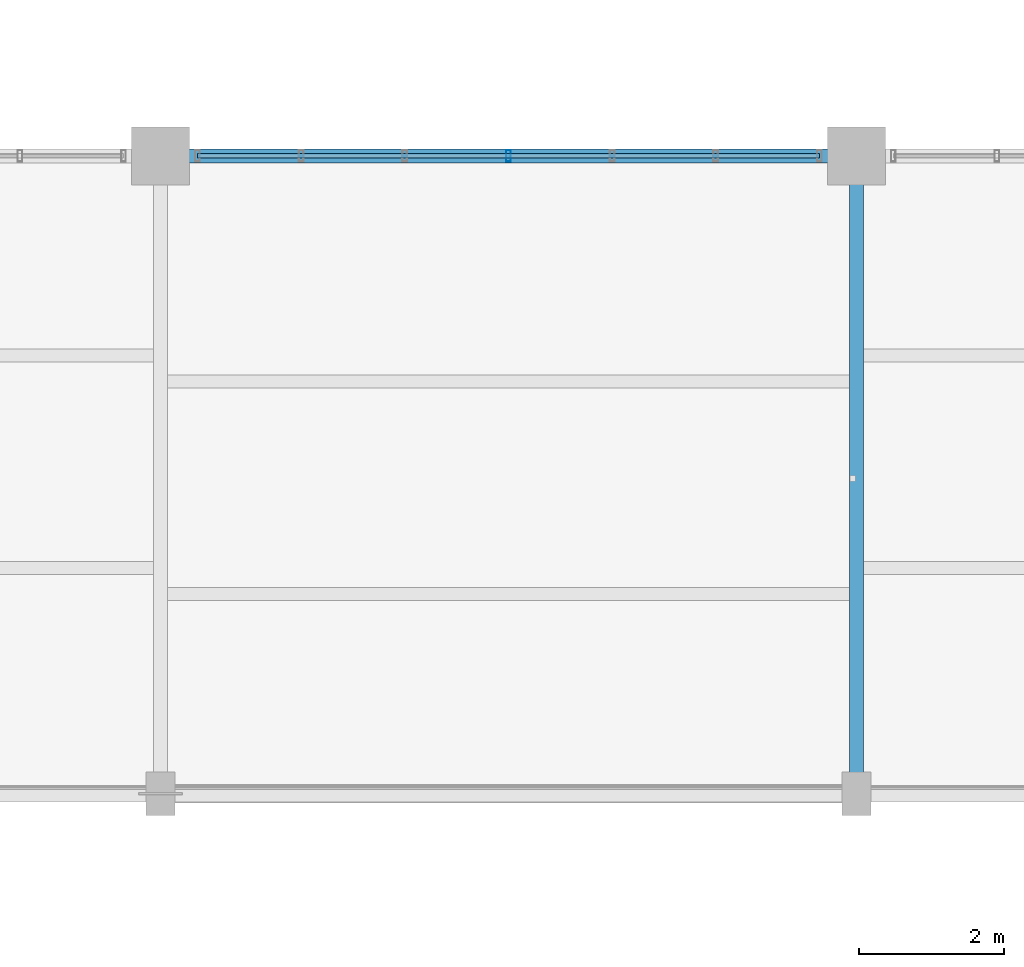
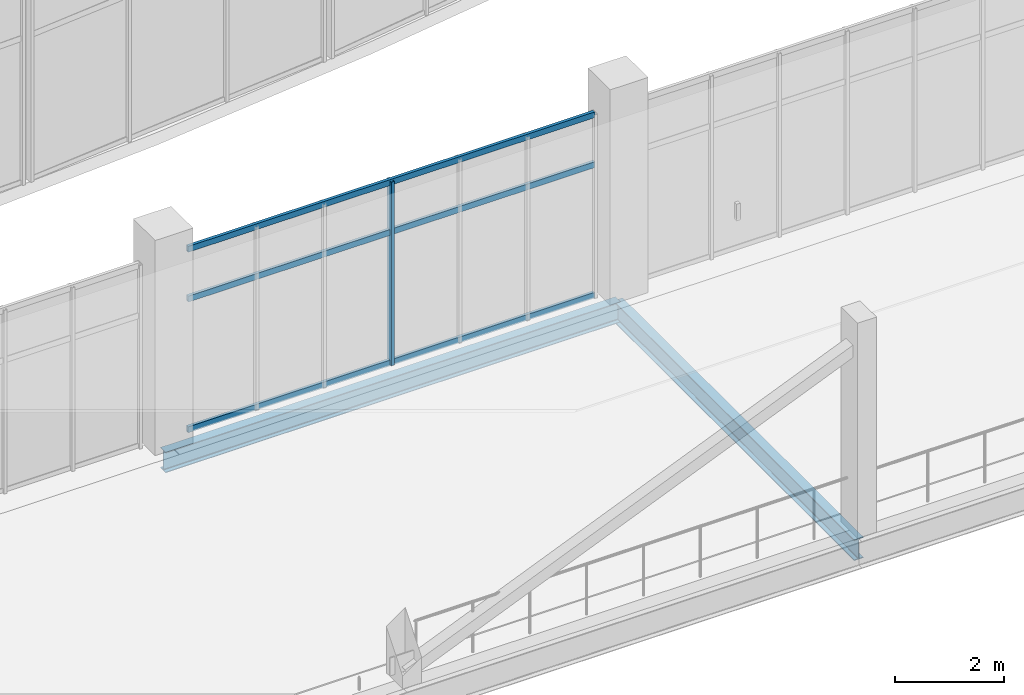
# One storey, part 61 of 157: 4 members, 2 beams, 1 element without a shape of its own.
"""IFC4 building model written with IfcOpenShell, lengths in metres."""

from ifc_helpers import new_model, si_unit, direction, frame, origin, origin_2d, place, context, subcontext, project, spatial, hollow_rectangle, i_section, extrude, material, layer, layer_set, material_profile, profile_set, type_object, element, aggregate, save


model = new_model("IFC4")

# Units and contexts
model_context = context("Model", 3, precision=1e-05, world=origin(), true_north=direction((0.0, 1.0)))
body_context = subcontext(model_context, "Body", "Model", "MODEL_VIEW")
ifc_project = project(units=[si_unit("LENGTHUNIT", "METRE"), si_unit("AREAUNIT", "SQUARE_METRE"), si_unit("VOLUMEUNIT", "CUBIC_METRE"), si_unit("PLANEANGLEUNIT", "RADIAN"), si_unit("MASSUNIT", "GRAM", prefix="KILO")], contexts=[model_context])

# Site, building, storey
site_placement = place(None, origin())
site = spatial("IfcSite", under=ifc_project, at=site_placement, CompositionType="ELEMENT")
building_placement = place(site_placement, origin())
building = spatial("IfcBuilding", under=site, at=building_placement, Name="Chalmorin Arch Market", CompositionType="ELEMENT")
storey_placement = place(building_placement, frame((0.0, 0.0, 4.800048828125)))
storey = spatial("IfcBuildingStorey", under=building, at=storey_placement, Name="L01", CompositionType="ELEMENT", Elevation=4.800048828125)

# Curtain wall, members
ifc_material_1 = material(Name="Aluminium 6063-T6", Category="aluminium")
ifc_layer = layer(ifc_material_1, 0.159912109375)
ifc_layer_set = layer_set([ifc_layer], Name="Aluminium 6063-T6")
curtain_wall_type = type_object("IfcCurtainWallType", Name="MarketClerestoryCurtainWall-CW1-8580x4100", PredefinedType="NOTDEFINED", material=ifc_layer_set)
curtain_wall_placement = place(storey_placement, origin())
curtain_wall = element("IfcCurtainWall", 1, at=curtain_wall_placement, inside=storey, type_object=curtain_wall_type, Name="CW-01-015", PredefinedType="NOTDEFINED")
ifc_material_profile_1 = material_profile(ifc_material_1, hollow_rectangle(XDim=0.06494140625, YDim=0.159912109375, WallThickness=0.00390625, at=origin_2d()), Name="ALU65X160X4")
ifc_profile_set_1 = profile_set([ifc_material_profile_1], Name="Aluminium 6063-T6")
member_type_1 = type_object("IfcMemberType", Name="CurtainWallMullion-65x160", PredefinedType="MULLION", material=ifc_profile_set_1)
member_1_placement = place(storey_placement, frame((91.199951171875, 58.800048828125, 0.0), z_axis=(0.0, 0.0, 1.0), x_axis=(1.0, 0.0, 0.0)))
member_1 = element("IfcMember", 2, at=member_1_placement, type_object=member_type_1, Name="ML-015-04", PredefinedType="MULLION", context=body_context, shape_type="SweptSolid", body=[
    extrude(hollow_rectangle(XDim=0.06494140625, YDim=0.159912109375, WallThickness=0.00390625, at=origin_2d()), origin(), (0.0, 0.0, 1.0), 4.095947265625),
])
ifc_material_profile_2 = material_profile(ifc_material_1, hollow_rectangle(XDim=0.06494140625, YDim=0.1298828125, WallThickness=0.00390625, at=origin_2d()), Name="ALU65X130X4")
ifc_profile_set_2 = profile_set([ifc_material_profile_2], Name="Aluminium 6063-T6")
member_type_2 = type_object("IfcMemberType", Name="CurtainWallTransom-65x130", PredefinedType="USERDEFINED", material=ifc_profile_set_2)
member_2_placement = place(storey_placement, frame((86.909912109375, 58.800048828125, 0.034912109375), z_axis=(1.0, 0.0, 0.0), x_axis=(0.0, 1.0, 0.0)))
member_2 = element("IfcMember", 3, at=member_2_placement, type_object=member_type_2, Name="TR-015-01", ObjectType="TRANSOM", PredefinedType="USERDEFINED", context=body_context, shape_type="SweptSolid", body=[
    extrude(hollow_rectangle(XDim=0.06494140625, YDim=0.1298828125, WallThickness=0.00390625, at=origin_2d()), origin(), (0.0, 0.0, 1.0), 8.580078125),
])
member_3_placement = place(storey_placement, frame((86.909912109375, 58.800048828125, 2.948974609375), z_axis=(1.0, 0.0, 0.0), x_axis=(0.0, 1.0, 0.0)))
member_3 = element("IfcMember", 4, at=member_3_placement, type_object=member_type_2, Name="TR-015-02", ObjectType="TRANSOM", PredefinedType="USERDEFINED", context=body_context, shape_type="SweptSolid", body=[
    extrude(hollow_rectangle(XDim=0.06494140625, YDim=0.1298828125, WallThickness=0.00390625, at=origin_2d()), origin(), (0.0, 0.0, 1.0), 8.580078125),
])
member_4_placement = place(storey_placement, frame((86.909912109375, 58.800048828125, 4.06103515625), z_axis=(1.0, 0.0, 0.0), x_axis=(0.0, 1.0, 0.0)))
member_4 = element("IfcMember", 5, at=member_4_placement, type_object=member_type_2, Name="TR-015-03", ObjectType="TRANSOM", PredefinedType="USERDEFINED", context=body_context, shape_type="SweptSolid", body=[
    extrude(hollow_rectangle(XDim=0.06494140625, YDim=0.1298828125, WallThickness=0.00390625, at=origin_2d()), origin(), (0.0, 0.0, 1.0), 8.580078125),
])
aggregate(curtain_wall, [member_1, member_2, member_3, member_4])

# Beams
ifc_material_2 = material(Name="Steel A992 Grade 50", Category="steel")
ifc_material_profile_3 = material_profile(ifc_material_2, i_section(OverallWidth=0.193115234375, OverallDepth=0.466064453125, WebThickness=0.011474609375, FlangeThickness=0.01904296875, FilletRadius=0.02001953125, at=origin_2d()), Name="W18X65")
ifc_profile_set_3 = profile_set([ifc_material_profile_3], Name="Steel A992 Grade 50")
beam_type_1 = type_object("IfcBeamType", Name="FloorSteelBeam-W18X65", PredefinedType="BEAM", material=ifc_profile_set_3)
beam_1_placement = place(storey_placement, frame((96.0, 50.0, -0.485107421875), z_axis=(0.0, 1.0, 0.0), x_axis=(-1.0, 0.0, 0.0)))
element("IfcBeam", 6, at=beam_1_placement, inside=storey, type_object=beam_type_1, Name="BM-W18A-0654", PredefinedType="BEAM", context=body_context, shape_type="SweptSolid", body=[
    extrude(i_section(OverallWidth=0.193115234375, OverallDepth=0.466064453125, WebThickness=0.011474609375, FlangeThickness=0.01904296875, FilletRadius=0.02001953125, at=origin_2d()), origin(), (0.0, 0.0, 1.0), 8.800048828125),
])
ifc_material_profile_4 = material_profile(ifc_material_2, i_section(OverallWidth=0.19091796875, OverallDepth=0.45703125, WebThickness=0.009033203125, FlangeThickness=0.014404296875, FilletRadius=0.02001953125, at=origin_2d()), Name="W18X50")
ifc_profile_set_4 = profile_set([ifc_material_profile_4], Name="Steel A992 Grade 50")
beam_type_2 = type_object("IfcBeamType", Name="PerimeterSpandrelBeam-W18X50", PredefinedType="SPANDREL", material=ifc_profile_set_4)
beam_2_placement = place(storey_placement, frame((86.39990234375, 58.800048828125, -0.48046875), z_axis=(1.0, 0.0, 0.0), x_axis=(0.0, 1.0, 0.0)))
element("IfcBeam", 7, at=beam_2_placement, inside=storey, type_object=beam_type_2, Name="SP-W18-0653", PredefinedType="SPANDREL", context=body_context, shape_type="SweptSolid", body=[
    extrude(i_section(OverallWidth=0.19091796875, OverallDepth=0.45703125, WebThickness=0.009033203125, FlangeThickness=0.014404296875, FilletRadius=0.02001953125, at=origin_2d()), origin(), (0.0, 0.0, 1.0), 9.60009765625),
])

save(model, "model.ifc")
